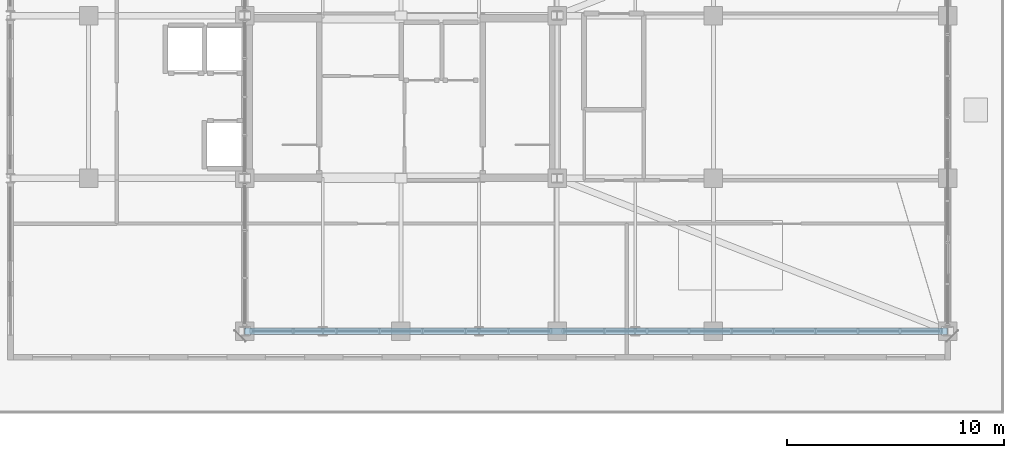
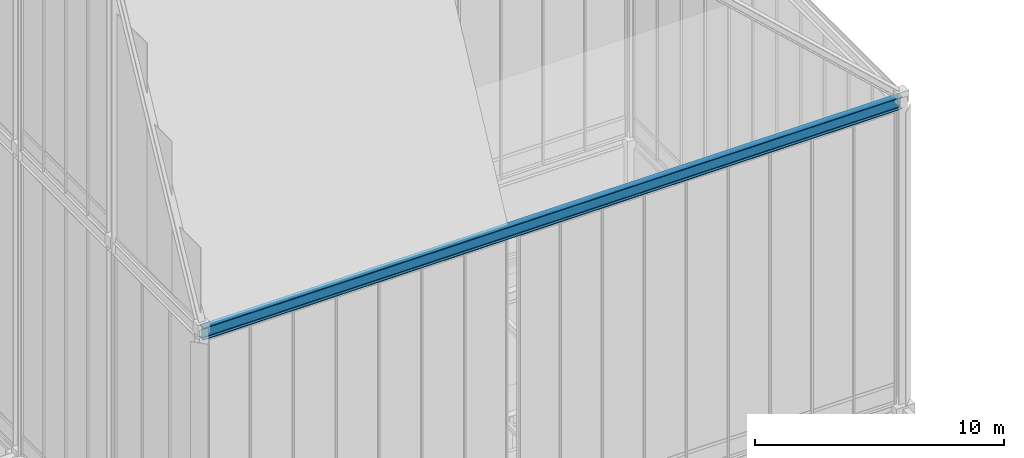
# One storey, part 14 of 49: 1 beam.
"""IFC4 building model written with IfcOpenShell, lengths in metres."""

import ifcopenshell
import ifcopenshell.guid

model = None  # the IFC model being written
_history = None  # IfcOwnerHistory: only IFC2X3 demands one
_inside = {}  # id of a spatial element -> (the spatial element, [elements in it])
_under = {}  # id of a project, library or spatial element -> (it, [spatial elements below it])
_declared = {}  # id of a project -> (the project, [libraries it declares])
_typed = {}  # id of a type object -> (the type object, [elements of that type])
_made_of = {}  # id of a material, layer set ... -> (it, [elements and type objects made of it])


def new_model(schema):
    """Start an empty IFC model of exactly this schema.

    Asked for "IFC4X3", IfcOpenShell would pick the latest addendum, in which some entities
    have other attributes; the version numbers below select the first issue.
    IFC2X3 requires an IfcOwnerHistory on every rooted entity: one is made here for all.
    """
    global model, _history
    if schema == "IFC4X3":
        model = ifcopenshell.file(schema_version=(4, 3, 0, 0))
    else:
        model = ifcopenshell.file(schema=schema)
    _inside.clear()
    _under.clear()
    _declared.clear()
    _typed.clear()
    _made_of.clear()
    _history = None
    if model.schema == "IFC2X3":
        org = make("IfcOrganization", Name="unknown")
        user = make(
            "IfcPersonAndOrganization",
            ThePerson=make("IfcPerson", FamilyName="unknown"),
            TheOrganization=org,
        )
        app = make(
            "IfcApplication",
            ApplicationDeveloper=org,
            Version="unknown",
            ApplicationFullName="unknown",
            ApplicationIdentifier="unknown",
        )
        _history = make(
            "IfcOwnerHistory",
            OwningUser=user,
            OwningApplication=app,
            ChangeAction="ADDED",
            CreationDate=0,
        )
    return model


def make(cls, **values):
    """One entity of the class cls with the attributes given. An attribute that is None is left unset."""
    return model.create_entity(
        cls, **{name: value for name, value in values.items() if value is not None}
    )


def rooted(cls, **values):
    """An entity with a GlobalId (a new one), such as an element, a storey or a relation."""
    return make(cls, GlobalId=ifcopenshell.guid.new(), OwnerHistory=_history, **values)


def si_unit(unit_type, name, prefix=None):
    """IfcSIUnit, for example si_unit("LENGTHUNIT", "METRE", prefix="MILLI")."""
    return make("IfcSIUnit", UnitType=unit_type, Prefix=prefix, Name=name)


def assignment(units):
    """IfcUnitAssignment: the units of a project."""
    return None if units is None else make("IfcUnitAssignment", Units=units)


def point(xyz):
    """IfcCartesianPoint."""
    return None if xyz is None else make("IfcCartesianPoint", Coordinates=xyz)


def direction(xyz):
    """IfcDirection."""
    return None if xyz is None else make("IfcDirection", DirectionRatios=xyz)


def frame(location, z_axis=None, x_axis=None):
    """IfcAxis2Placement3D, a coordinate frame: its origin and axes. An axis left out is left unset."""
    return make(
        "IfcAxis2Placement3D",
        Location=point(location),
        Axis=direction(z_axis),
        RefDirection=direction(x_axis),
    )


def frame_2d(location, x_axis=None):
    """IfcAxis2Placement2D, a coordinate frame in the plane: its origin and x axis."""
    return make(
        "IfcAxis2Placement2D", Location=point(location), RefDirection=direction(x_axis)
    )


def origin():
    """The frame at (0, 0, 0) with its axes left unset."""
    return frame((0.0, 0.0, 0.0))


def origin_2d():
    """The frame at (0, 0) in the plane with its x axis left unset."""
    return frame_2d((0.0, 0.0))


def place(relative_to, where):
    """IfcLocalPlacement: puts the frame where relative to a parent placement (None: the world)."""
    return make(
        "IfcLocalPlacement", PlacementRelTo=relative_to, RelativePlacement=where
    )


def context(
    kind, dimensions, precision=None, world=None, true_north=None, identifier=None
):
    """IfcGeometricRepresentationContext, for example the 3D "Model" context."""
    return make(
        "IfcGeometricRepresentationContext",
        ContextIdentifier=identifier,
        ContextType=kind,
        CoordinateSpaceDimension=dimensions,
        Precision=precision,
        WorldCoordinateSystem=world,
        TrueNorth=true_north,
    )


def subcontext(parent, identifier, kind, view, scale=None):
    """IfcGeometricRepresentationSubContext, for example "Body" below "Model"."""
    return make(
        "IfcGeometricRepresentationSubContext",
        ContextIdentifier=identifier,
        ContextType=kind,
        ParentContext=parent,
        TargetScale=scale,
        TargetView=view,
    )


def project(units=None, contexts=None):
    """IfcProject with its units and contexts."""
    return rooted(
        "IfcProject",
        Name="project",
        RepresentationContexts=contexts,
        UnitsInContext=assignment(units),
    )


def spatial(cls, under=None, at=None, **own):
    """A site, building, storey or space (cls), placed at a placement, below another one or the project."""
    s = rooted(cls, ObjectPlacement=at, **own)
    if under is not None:
        _under.setdefault(under.id(), (under, []))[1].append(s)
    return s


def profile(cls, at=None, kind="AREA", **sizes):
    """A parametric profile (cls). Its sizes go by their IFC names, for example OverallWidth=200.0."""
    return make(cls, ProfileType=kind, Position=at, **sizes)


def i_section(**sizes):
    """IfcIShapeProfileDef."""
    return profile("IfcIShapeProfileDef", **sizes)


def extrude(swept, where, along, depth):
    """IfcExtrudedAreaSolid: the profile swept, set in the frame where, extruded along a direction by depth."""
    return make(
        "IfcExtrudedAreaSolid",
        SweptArea=swept,
        Position=where,
        ExtrudedDirection=direction(along),
        Depth=depth,
    )


def shape(context_of_items, identifier, shape_type, items):
    """IfcShapeRepresentation: the items that make up one representation, for example the "Body"."""
    return make(
        "IfcShapeRepresentation",
        ContextOfItems=context_of_items,
        RepresentationIdentifier=identifier,
        RepresentationType=shape_type,
        Items=items,
    )


def source(mapping_origin, context_of_items, identifier, shape_type, items):
    """IfcRepresentationMap: a shape defined once, which mapped items show again and again."""
    return make(
        "IfcRepresentationMap",
        MappingOrigin=mapping_origin,
        MappedRepresentation=shape(context_of_items, identifier, shape_type, items),
    )


def transform(
    local_origin,
    x_axis=None,
    y_axis=None,
    z_axis=None,
    scale=None,
    scale2=None,
    scale3=None,
    uniform=True,
):
    """IfcCartesianTransformationOperator3D, or its non-uniform kind. x_axis, y_axis, z_axis: its Axis1, 2, 3."""
    if uniform:
        return make(
            "IfcCartesianTransformationOperator3D",
            Axis1=direction(x_axis),
            Axis2=direction(y_axis),
            LocalOrigin=point(local_origin),
            Scale=scale,
            Axis3=direction(z_axis),
        )
    return make(
        "IfcCartesianTransformationOperator3DnonUniform",
        Axis1=direction(x_axis),
        Axis2=direction(y_axis),
        LocalOrigin=point(local_origin),
        Scale=scale,
        Axis3=direction(z_axis),
        Scale2=scale2,
        Scale3=scale3,
    )


def mapped(mapping_source, mapping_target):
    """IfcMappedItem: shows the shape of a source again, moved by a transform."""
    return make(
        "IfcMappedItem", MappingSource=mapping_source, MappingTarget=mapping_target
    )


def material(Name=None, Category=None):
    """IfcMaterial."""
    return make("IfcMaterial", Name=Name, Category=Category)


def material_profile(
    of_material, cross_section, Name=None, Category=None, Priority=None
):
    """IfcMaterialProfile: a cross section and its material."""
    return make(
        "IfcMaterialProfile",
        Name=Name,
        Material=of_material,
        Profile=cross_section,
        Priority=Priority,
        Category=Category,
    )


def profile_set(profiles, Name=None, composite=None):
    """IfcMaterialProfileSet."""
    return make(
        "IfcMaterialProfileSet",
        Name=Name,
        MaterialProfiles=profiles,
        CompositeProfile=composite,
    )


def made_of(thing, what):
    """Note that an element or type object is made of a material, layer set ...; save() writes the relation."""
    if what is not None:
        _made_of.setdefault(what.id(), (what, []))[1].append(thing)
    return thing


def type_object(cls, material=None, **own):
    """A type object (cls), such as IfcWallType, which elements share."""
    return made_of(rooted(cls, **own), material)


def element(
    cls,
    number,
    at=None,
    inside=None,
    cuts=None,
    type_object=None,
    material=None,
    context=None,
    identifier="Body",
    shape_type=None,
    held_by="IfcProductDefinitionShape",
    body=None,
    shapes=None,
    **own,
):
    """One element of the class cls, such as IfcWall. Its Tag is "e" and its number.

    at: its placement. inside: the storey or other place that contains it. cuts: it is an
    opening in that element (IfcRelVoidsElement). A single representation is given by context,
    identifier, shape_type and body (its items); several are given by shapes. held_by: the class
    of the entity that holds the representations. save() writes the other relations.
    """
    e = rooted(cls, Tag="e%d" % number, ObjectPlacement=at, **own)
    if body is not None:
        shapes = [shape(context, identifier, shape_type, body)]
    if shapes is not None:
        e.Representation = make(held_by, Representations=shapes)
    if inside is not None:
        _inside.setdefault(inside.id(), (inside, []))[1].append(e)
    if cuts is not None:
        rooted(
            "IfcRelVoidsElement", RelatingBuildingElement=cuts, RelatedOpeningElement=e
        )
    if type_object is not None:
        _typed.setdefault(type_object.id(), (type_object, []))[1].append(e)
    return made_of(e, material)


def aggregate(whole, parts):
    """IfcRelAggregates: a whole, such as a stair, and the parts it consists of."""
    return rooted("IfcRelAggregates", RelatingObject=whole, RelatedObjects=parts)


def save(model, path):
    """Write the relations noted so far, then the file.

    IfcRelAggregates (storeys below a building ...), IfcRelContainedInSpatialStructure (elements
    in a storey), IfcRelDefinesByType, IfcRelAssociatesMaterial and IfcRelDeclares: one each for
    every whole, place, type object, material and project.
    """
    for whole, parts in _under.values():
        aggregate(whole, parts)
    for where, things in _inside.values():
        rooted(
            "IfcRelContainedInSpatialStructure",
            RelatedElements=things,
            RelatingStructure=where,
        )
    for kind, things in _typed.values():
        rooted("IfcRelDefinesByType", RelatedObjects=things, RelatingType=kind)
    for what, things in _made_of.values():
        rooted("IfcRelAssociatesMaterial", RelatedObjects=things, RelatingMaterial=what)
    for by, libraries in _declared.values():
        rooted("IfcRelDeclares", RelatingContext=by, RelatedDefinitions=libraries)
    model.write(path)


model = new_model("IFC4")

# Units and contexts
model_context = context("Model", 3, precision=1e-05, world=origin(), true_north=direction((0.0, 1.0)))
body_context = subcontext(model_context, "Body", "Model", "MODEL_VIEW")
ifc_project = project(units=[si_unit("LENGTHUNIT", "METRE"), si_unit("AREAUNIT", "SQUARE_METRE"), si_unit("VOLUMEUNIT", "CUBIC_METRE"), si_unit("PLANEANGLEUNIT", "RADIAN"), si_unit("MASSUNIT", "GRAM", prefix="KILO")], contexts=[model_context])

# Site, building, storey
site_placement = place(None, origin())
site = spatial("IfcSite", under=ifc_project, at=site_placement, CompositionType="ELEMENT")
building_placement = place(site_placement, origin())
building = spatial("IfcBuilding", under=site, at=building_placement, Name="Kaliganga Portal Commons", CompositionType="ELEMENT")
storey_placement = place(building_placement, frame((0.0, 0.0, 298.0)))
storey = spatial("IfcBuildingStorey", under=building, at=storey_placement, Name="L77", CompositionType="ELEMENT", Elevation=298.0)

# Beam
ifc_material = material(Name="Structural steel S460M", Category="steel")
ifc_material_profile = material_profile(ifc_material, i_section(OverallWidth=0.300048828125, OverallDepth=0.60009765625, WebThickness=0.015380859375, FlangeThickness=0.030029296875, FilletRadius=0.027099609375, at=origin_2d()), Name="HE 600 B")
ifc_profile_set = profile_set([ifc_material_profile], Name="Structural steel S460M wide-flange")
beam_type = type_object("IfcBeamType", Name="BM-CROWN-RING", PredefinedType="USERDEFINED", material=ifc_profile_set)
shared_shape = source(origin(), body_context, "Body", "SweptSolid", [
    extrude(i_section(OverallWidth=0.300048828125, OverallDepth=0.60009765625, WebThickness=0.015380859375, FlangeThickness=0.030029296875, FilletRadius=0.027099609375, at=origin_2d()), origin(), (0.0, 0.0, 1.0), 32.400146484375),
])
beam_placement = place(storey_placement, frame((14.39990234375, 21.60009765625, 20.699951171875), z_axis=(1.0, 0.0, 0.0), x_axis=(0.0, 1.0, 0.0)))
element("IfcBeam", 1, at=beam_placement, inside=storey, type_object=beam_type, Name="BM CROWN MID S", ObjectType="CROWN FRAME", PredefinedType="USERDEFINED", context=body_context, shape_type="MappedRepresentation", body=[
    mapped(shared_shape, transform((0.0, 0.0, 0.0), x_axis=(1.0, 0.0, 0.0), y_axis=(0.0, 1.0, 0.0), z_axis=(0.0, 0.0, 1.0), scale=1.0)),
])

save(model, "model.ifc")
